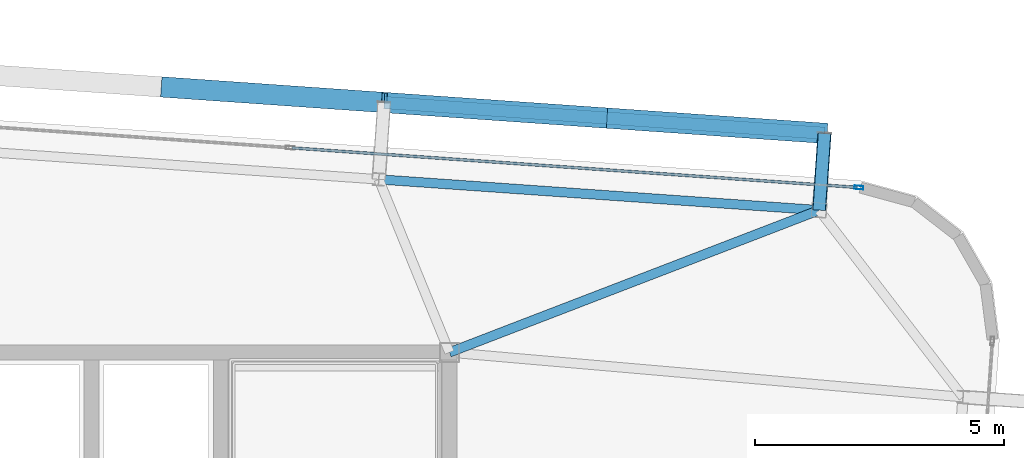
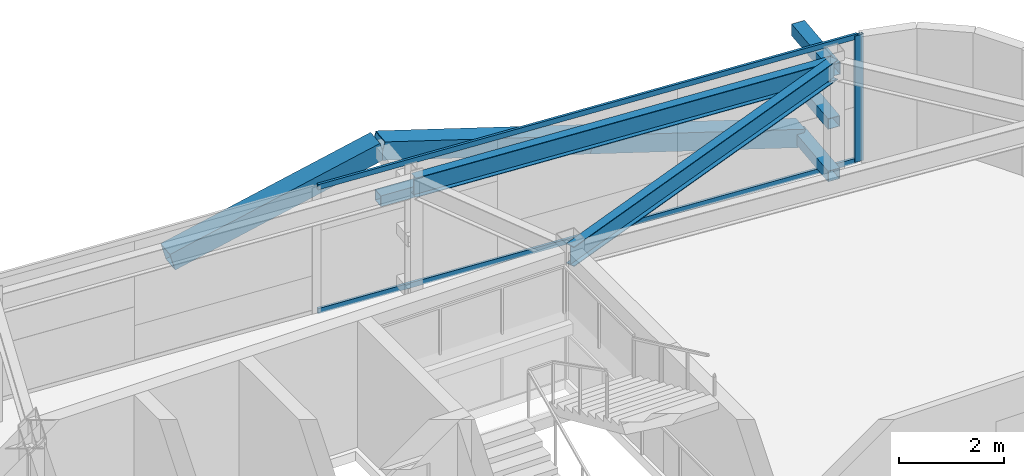
# One storey, part 24 of 39: 10 members, 2 beams, 1 element without a shape of its own.
"""IFC4 building model written with IfcOpenShell, lengths in metres."""

from ifc_helpers import new_model, si_unit, direction, frame, origin, origin_2d, place, context, subcontext, project, spatial, hollow_rectangle, i_section, extrude, source, transform, mapped, material, layer, layer_set, material_profile, profile_set, type_object, element, aggregate, save


model = new_model("IFC4")

# Units and contexts
model_context = context("Model", 3, precision=1e-05, world=origin(), true_north=direction((0.0, 1.0)))
body_context = subcontext(model_context, "Body", "Model", "MODEL_VIEW")
ifc_project = project(units=[si_unit("LENGTHUNIT", "METRE"), si_unit("AREAUNIT", "SQUARE_METRE"), si_unit("VOLUMEUNIT", "CUBIC_METRE"), si_unit("PLANEANGLEUNIT", "RADIAN"), si_unit("MASSUNIT", "GRAM", prefix="KILO")], contexts=[model_context])

# Site, building, storey
site_placement = place(None, origin())
site = spatial("IfcSite", under=ifc_project, at=site_placement, CompositionType="ELEMENT")
building_placement = place(site_placement, origin())
building = spatial("IfcBuilding", under=site, at=building_placement, Name="Taldren Reach Tower", CompositionType="ELEMENT")
storey_placement = place(building_placement, frame((0.0, 0.0, 136.14990234375)))
storey = spatial("IfcBuildingStorey", under=building, at=storey_placement, Name="L41", CompositionType="ELEMENT", Elevation=136.14990234375)

# Members
ifc_material_1 = material(Name="Steel Gr 450 (C450L0)", Category="steel")
ifc_material_profile_1 = material_profile(ifc_material_1, hollow_rectangle(XDim=0.27490234375, YDim=0.27490234375, WallThickness=0.00927734375, at=origin_2d()), Name="275x275x9.3SHS")
ifc_profile_set_1 = profile_set([ifc_material_profile_1], Name="Steel Gr 450 (C450L0)")
member_type_1 = type_object("IfcMemberType", Name="MB-TIE273", PredefinedType="STRUT", material=ifc_profile_set_1)
shared_shape_1 = source(origin(), body_context, "Body", "SweptSolid", [
    extrude(hollow_rectangle(XDim=0.27490234375, YDim=0.27490234375, WallThickness=0.00927734375, at=origin_2d()), origin(), (0.0, 0.0, 1.0), 1.5498046875),
])
member_1_placement = place(storey_placement, frame((58.4365234375, 34.861572265625, 2.650146484375), z_axis=(0.069780535098, 0.997562367434, 0.0), x_axis=(-0.997562367434, 0.069780535098, 0.0)))
element("IfcMember", 1, at=member_1_placement, inside=storey, type_object=member_type_1, Name="Exoskeleton diaphragm tie strut B3-N6 L41", PredefinedType="STRUT", context=body_context, shape_type="MappedRepresentation", body=[
    mapped(shared_shape_1, transform((0.0, 0.0, 0.0), scale=1.0)),
])
ifc_material_2 = material(Name="Steel Gr 350 (C350L0)", Category="steel")
ifc_material_profile_2 = material_profile(ifc_material_2, hollow_rectangle(XDim=0.25, YDim=0.25, WallThickness=0.010009765625, at=origin_2d()), Name="250x250x10.0SHS")
ifc_profile_set_2 = profile_set([ifc_material_profile_2], Name="Steel Gr 350 (C350L0)")
member_type_2 = type_object("IfcMemberType", Name="MB-POST250", PredefinedType="POST", material=ifc_profile_set_2)
shared_shape_2 = source(origin(), body_context, "Body", "SweptSolid", [
    extrude(hollow_rectangle(XDim=0.25, YDim=0.25, WallThickness=0.010009765625, at=origin_2d()), origin(), (0.0, 0.0, 1.0), 1.5498046875),
])
for number, where, z_axis, x_axis, name in (
    (2, (58.4365234375, 34.861572265625, 0.22021484375), (0.069780535098, 0.997562367434, 0.0), (-0.997562367434, 0.069780535098, 0.0), "Exoskeleton base diaphragm tie strut B3-N6 L41"),
    (3, (58.4365234375, 34.861572265625, 1.43505859375), (0.069780535098, 0.997562367434, 0.0), (-0.997562367434, 0.069780535098, 0.0), "Exoskeleton mid-tier diaphragm tie B3-N6 L41"),
):
    element("IfcMember", number, at=place(storey_placement, frame(where, z_axis=z_axis, x_axis=x_axis)), inside=storey, type_object=member_type_2, Name=name, PredefinedType="POST", context=body_context, shape_type="MappedRepresentation", body=[
        mapped(shared_shape_2, transform((0.0, 0.0, 0.0), scale=1.0)),
    ])

# Beams
ifc_material_3 = material(Name="Steel Gr 350 (350PLUS)", Category="steel")
ifc_material_profile_3 = material_profile(ifc_material_3, i_section(OverallWidth=0.18994140625, OverallDepth=0.4541015625, WebThickness=0.008544921875, FlangeThickness=0.0126953125, at=origin_2d()), Name="460UB67.1")
ifc_profile_set_3 = profile_set([ifc_material_profile_3], Name="Steel Gr 350 (350PLUS)")
beam_type_1 = type_object("IfcBeamType", Name="SP-UB460B", PredefinedType="SPANDREL", material=ifc_profile_set_3)
shared_shape_3 = source(origin(), body_context, "Body", "SweptSolid", [
    extrude(i_section(OverallWidth=0.18994140625, OverallDepth=0.4541015625, WebThickness=0.008544921875, FlangeThickness=0.0126953125, at=origin_2d()), origin(), (0.0, 0.0, 1.0), 8.880126953125),
])
beam_1_placement = place(storey_placement, frame((58.4365234375, 34.861572265625, 2.703125), z_axis=(-0.997564479639, 0.069750333063, 0.0), x_axis=(-0.069750333063, -0.997564479639, 0.0)))
element("IfcBeam", 4, at=beam_1_placement, inside=storey, type_object=beam_type_1, Name="Perimeter spandrel B3 N6-N5 L41", PredefinedType="SPANDREL", context=body_context, shape_type="MappedRepresentation", body=[
    mapped(shared_shape_3, transform((0.0, 0.0, 0.0), scale=1.0)),
])
ifc_material_profile_4 = material_profile(ifc_material_3, i_section(OverallWidth=0.19091796875, OverallDepth=0.4599609375, WebThickness=0.010009765625, FlangeThickness=0.01611328125, at=origin_2d()), Name="460UB82.1")
ifc_profile_set_4 = profile_set([ifc_material_profile_4], Name="Steel Gr 350 (350PLUS)")
beam_type_2 = type_object("IfcBeamType", Name="BM-UB460A", PredefinedType="BEAM", material=ifc_profile_set_4)
shared_shape_4 = source(origin(), body_context, "Body", "SweptSolid", [
    extrude(i_section(OverallWidth=0.19091796875, OverallDepth=0.4599609375, WebThickness=0.010009765625, FlangeThickness=0.01611328125, at=origin_2d()), origin(), (0.0, 0.0, 1.0), 7.968017578125),
])
beam_2_placement = place(storey_placement, frame((51.0, 32.0, 2.7001953125), z_axis=(0.933287947144, 0.359128956943, 0.0), x_axis=(-0.359128956943, 0.933287947144, 0.0)))
element("IfcBeam", 5, at=beam_2_placement, inside=storey, type_object=beam_type_2, Name="Primary floor girder B3-N6 L41", PredefinedType="BEAM", context=body_context, shape_type="MappedRepresentation", body=[
    mapped(shared_shape_4, transform((0.0, 0.0, 0.0), scale=1.0)),
])

# Members
shared_shape_5 = source(origin(), body_context, "Body", "SweptSolid", [
    extrude(hollow_rectangle(XDim=0.25, YDim=0.25, WallThickness=0.010009765625, at=origin_2d()), origin(), (0.0, 0.0, 1.0), 8.880126953125),
])
member_2_placement = place(storey_placement, frame((49.686279296875, 37.02734375, 1.43505859375), z_axis=(0.997562566276, -0.06977769246, 0.0), x_axis=(0.06977769246, 0.997562566276, 0.0)))
element("IfcMember", 6, at=member_2_placement, inside=storey, type_object=member_type_2, Name="Exoskeleton mid-height ring chord B3-N5 L41", PredefinedType="POST", context=body_context, shape_type="MappedRepresentation", body=[
    mapped(shared_shape_5, transform((0.0, 0.0, 0.0), scale=1.0)),
])
ifc_material_profile_5 = material_profile(ifc_material_1, hollow_rectangle(XDim=0.409912109375, YDim=0.409912109375, WallThickness=0.01611328125, at=origin_2d()), Name="410x410x16.0SHS")
ifc_profile_set_5 = profile_set([ifc_material_profile_5], Name="Steel Gr 450 (C450L0)")
member_type_3 = type_object("IfcMemberType", Name="MB-EXO406", PredefinedType="BRACE", material=ifc_profile_set_5)
shared_shape_6 = source(origin(), body_context, "Body", "SweptSolid", [
    extrude(hollow_rectangle(XDim=0.409912109375, YDim=0.409912109375, WallThickness=0.01611328125, at=origin_2d()), origin(), (0.0, 0.0, 1.0), 4.603271484375),
])
for number, where, z_axis, x_axis, name in (
    (7, (45.257080078125, 37.3369140625, 1.43505859375), (0.962185784239, -0.067250114343, 0.263962002434), (0.069722973508, 0.997566392259, 0.0), "Exoskeleton Diagrid Brace B3-N4 L41"),
    (8, (58.544677734375, 36.40771484375, 0.22021484375), (-0.962195820062, 0.067303852699, 0.263911718699), (-0.06977769246, -0.997562566276, 0.0), "Exoskeleton Diagrid Brace B3-N5 L41"),
    (9, (54.115478515625, 36.717529296875, 1.43505859375), (-0.962182351074, 0.067302910567, 0.263961060594), (-0.06977769246, -0.997562566276, 0.0), "Exoskeleton Diagrid Brace B3-N5 L41"),
):
    element("IfcMember", number, at=place(storey_placement, frame(where, z_axis=z_axis, x_axis=x_axis)), inside=storey, type_object=member_type_3, Name=name, PredefinedType="BRACE", context=body_context, shape_type="MappedRepresentation", body=[
        mapped(shared_shape_6, transform((0.0, 0.0, 0.0), scale=1.0)),
    ])

# Curtain wall, members
ifc_material_4 = material(Name="Aluminium and Low-E Glass Unitised System", Category="aluminium")
ifc_layer = layer(ifc_material_4, 0.159912109375)
ifc_layer_set = layer_set([ifc_layer], Name="Aluminium and Low-E Glass Unitised System")
curtain_wall_type = type_object("IfcCurtainWallType", Name="CW-SYS-4", PredefinedType="NOTDEFINED", material=ifc_layer_set)
curtain_wall_placement = place(storey_placement, origin())
curtain_wall = element("IfcCurtainWall", 10, at=curtain_wall_placement, inside=storey, type_object=curtain_wall_type, Name="Unitised curtain wall CW-L41-N", PredefinedType="NOTDEFINED")
ifc_material_5 = material(Name="Anodised Aluminium 6063-T6", Category="aluminium")
ifc_material_profile_6 = material_profile(ifc_material_5, hollow_rectangle(XDim=0.070068359375, YDim=0.179931640625, WallThickness=0.00390625, at=origin_2d()), Name="ALU-180x70x4RHS")
ifc_profile_set_6 = profile_set([ifc_material_profile_6], Name="Anodised Aluminium 6063-T6")
member_type_4 = type_object("IfcMemberType", Name="CW-MUL-180", PredefinedType="MULLION", material=ifc_profile_set_6)
shared_shape_7 = source(origin(), body_context, "Body", "SweptSolid", [
    extrude(hollow_rectangle(XDim=0.070068359375, YDim=0.179931640625, WallThickness=0.00390625, at=origin_2d()), origin(), (0.0, 0.0, 1.0), 2.93017578125),
])
member_3_placement = place(storey_placement, frame((59.235107421875, 35.31689453125, 0.0), z_axis=(0.0, 0.0, 1.0), x_axis=(-0.06975651593, -0.99756404731, 0.0)))
member_3 = element("IfcMember", 11, at=member_3_placement, type_object=member_type_4, Name="CW-4 mullion 1", PredefinedType="MULLION", context=body_context, shape_type="MappedRepresentation", body=[
    mapped(shared_shape_7, transform((0.0, 0.0, 0.0), scale=1.0)),
])
ifc_material_profile_7 = material_profile(ifc_material_5, hollow_rectangle(XDim=0.054931640625, YDim=0.1201171875, WallThickness=0.0029296875, at=origin_2d()), Name="ALU-120x55x3RHS")
ifc_profile_set_7 = profile_set([ifc_material_profile_7], Name="Anodised Aluminium 6063-T6")
member_type_5 = type_object("IfcMemberType", Name="CW-TRN-135", PredefinedType="USERDEFINED", material=ifc_profile_set_7)
shared_shape_8 = source(origin(), body_context, "Body", "SweptSolid", [
    extrude(hollow_rectangle(XDim=0.054931640625, YDim=0.1201171875, WallThickness=0.0029296875, at=origin_2d()), origin(), (0.0, 0.0, 1.0), 11.39501953125),
])
member_4_placement = place(storey_placement, frame((59.2001953125, 35.3193359375, 0.027587890625), z_axis=(-0.997563740682, 0.069760900766, 0.0), x_axis=(-0.069760900766, -0.997563740682, 0.0)))
member_4 = element("IfcMember", 12, at=member_4_placement, type_object=member_type_5, Name="CW-4 transom 1.1", ObjectType="TRANSOM", PredefinedType="USERDEFINED", context=body_context, shape_type="MappedRepresentation", body=[
    mapped(shared_shape_8, transform((0.0, 0.0, 0.0), scale=1.0)),
])
member_5_placement = place(storey_placement, frame((59.2001953125, 35.3193359375, 2.902587890625), z_axis=(-0.997563740682, 0.069760900766, 0.0), x_axis=(-0.069760900766, -0.997563740682, 0.0)))
member_5 = element("IfcMember", 13, at=member_5_placement, type_object=member_type_5, Name="CW-4 transom 1.2", ObjectType="TRANSOM", PredefinedType="USERDEFINED", context=body_context, shape_type="MappedRepresentation", body=[
    mapped(shared_shape_8, transform((0.0, 0.0, 0.0), scale=1.0)),
])
aggregate(curtain_wall, [member_3, member_4, member_5])

save(model, "model.ifc")
